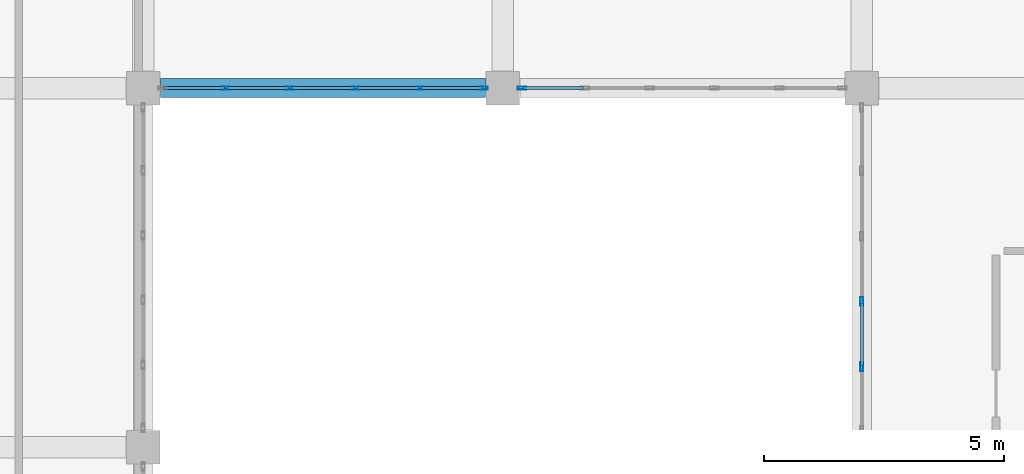
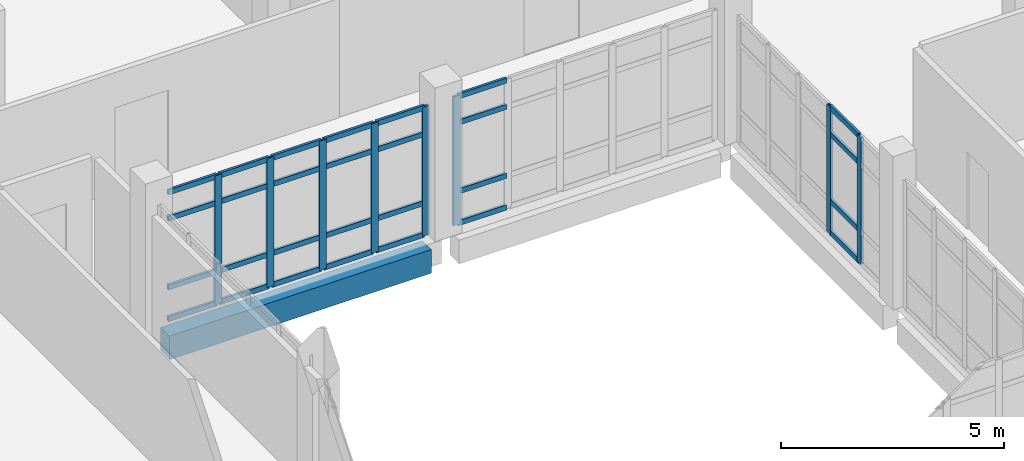
# One storey, part 27 of 164: 36 members, 1 beam, 3 elements without a shape of their own.
"""IFC4 building model written with IfcOpenShell, lengths in metres."""

from ifc_helpers import new_model, si_unit, direction, frame, origin, origin_2d, place, context, subcontext, project, spatial, rectangle, hollow_rectangle, extrude, material, layer, layer_set, material_profile, profile_set, type_object, element, aggregate, save


model = new_model("IFC4")

# Units and contexts
model_context = context("Model", 3, precision=1e-05, world=origin(), true_north=direction((0.0, 1.0)))
body_context = subcontext(model_context, "Body", "Model", "MODEL_VIEW")
ifc_project = project(units=[si_unit("LENGTHUNIT", "METRE"), si_unit("AREAUNIT", "SQUARE_METRE"), si_unit("VOLUMEUNIT", "CUBIC_METRE"), si_unit("PLANEANGLEUNIT", "RADIAN"), si_unit("MASSUNIT", "GRAM", prefix="KILO")], contexts=[model_context])

# Site, building, storey
site_placement = place(None, origin())
site = spatial("IfcSite", under=ifc_project, at=site_placement, CompositionType="ELEMENT")
building_placement = place(site_placement, origin())
building = spatial("IfcBuilding", under=site, at=building_placement, Name="Mawjan Specialist Oncology Clinic", CompositionType="ELEMENT")
storey_placement = place(building_placement, frame((0.0, 0.0, 5.0)))
storey = spatial("IfcBuildingStorey", under=building, at=storey_placement, Name="L01", CompositionType="ELEMENT", Elevation=5.0)

# Curtain wall, members
ifc_material_1 = material(Name="Unitised spectrally selective aluminium curtain wall", Category="aluminium")
ifc_layer_1 = layer(ifc_material_1, 0.179931640625, Name="Unitised spectrally selective aluminium curtain wall", Category="aluminium")
ifc_layer_set_1 = layer_set([ifc_layer_1], Name="Unitised spectrally selective aluminium curtain wall")
curtain_wall_type_1 = type_object("IfcCurtainWallType", Name="CW-80", PredefinedType="NOTDEFINED", material=ifc_layer_set_1)
curtain_wall_1_placement = place(storey_placement, origin())
curtain_wall_1 = element("IfcCurtainWall", 1, at=curtain_wall_1_placement, inside=storey, type_object=curtain_wall_type_1, Name="L01 Unitised Curtain Wall CW-L01-160", PredefinedType="NOTDEFINED")
ifc_material_2 = material(Name="Thermally broken aluminium 6063-T6", Category="aluminium")
ifc_material_profile_1 = material_profile(ifc_material_2, hollow_rectangle(XDim=0.06494140625, YDim=0.179931640625, WallThickness=0.00390625, at=origin_2d()), Name="ALU MULLION 180x65x4", Category="aluminium")
ifc_profile_set_1 = profile_set([ifc_material_profile_1], Name="Thermally broken aluminium 6063-T6")
member_type_1 = type_object("IfcMemberType", Name="CW-M180", PredefinedType="MULLION", material=ifc_profile_set_1)
member_1_placement = place(storey_placement, frame((30.0, 24.98193359375, 0.0), z_axis=(0.0, 0.0, 1.0), x_axis=(-1.0, 0.0, 0.0)))
member_1 = element("IfcMember", 2, at=member_1_placement, type_object=member_type_1, Name="CW-80 mullion 2", PredefinedType="MULLION", context=body_context, shape_type="SweptSolid", body=[
    extrude(hollow_rectangle(XDim=0.06494140625, YDim=0.179931640625, WallThickness=0.00390625, at=origin_2d()), origin(), (0.0, 0.0, 1.0), 3.485107421875),
])
member_2_placement = place(storey_placement, frame((30.0, 26.343994140625, 0.0), z_axis=(0.0, 0.0, 1.0), x_axis=(-1.0, 0.0, 0.0)))
member_2 = element("IfcMember", 3, at=member_2_placement, type_object=member_type_1, Name="CW-80 mullion 3", PredefinedType="MULLION", context=body_context, shape_type="SweptSolid", body=[
    extrude(hollow_rectangle(XDim=0.06494140625, YDim=0.179931640625, WallThickness=0.00390625, at=origin_2d()), origin(), (0.0, 0.0, 1.0), 3.485107421875),
])

# Curtain wall, member
ifc_material_3 = material(Name="Unitised spectrally selective aluminium curtain wall", Category="aluminium")
ifc_layer_2 = layer(ifc_material_3, 0.179931640625, Name="Unitised spectrally selective aluminium curtain wall", Category="aluminium")
ifc_layer_set_2 = layer_set([ifc_layer_2], Name="Unitised spectrally selective aluminium curtain wall")
curtain_wall_type_2 = type_object("IfcCurtainWallType", Name="CW-73", PredefinedType="NOTDEFINED", material=ifc_layer_set_2)
curtain_wall_2_placement = place(storey_placement, origin())
curtain_wall_2 = element("IfcCurtainWall", 4, at=curtain_wall_2_placement, inside=storey, type_object=curtain_wall_type_2, Name="L01 Unitised Curtain Wall CW-L01-161", PredefinedType="NOTDEFINED")
member_3_placement = place(storey_placement, frame((22.902587890625, 30.800048828125, 0.0), z_axis=(0.0, 0.0, 1.0), x_axis=(0.0, -1.0, 0.0)))
member_3 = element("IfcMember", 5, at=member_3_placement, type_object=member_type_1, Name="CW-73 mullion 6", PredefinedType="MULLION", context=body_context, shape_type="SweptSolid", body=[
    extrude(hollow_rectangle(XDim=0.06494140625, YDim=0.179931640625, WallThickness=0.00390625, at=origin_2d()), origin(), (0.0, 0.0, 1.0), 3.534912109375),
])

# Curtain wall, members
curtain_wall_3_placement = place(storey_placement, origin())
curtain_wall_3 = element("IfcCurtainWall", 6, at=curtain_wall_3_placement, inside=storey, type_object=curtain_wall_type_2, Name="L01 Unitised Curtain Wall CW-L01-162", PredefinedType="NOTDEFINED")
member_4_placement = place(storey_placement, frame((22.097412109375, 30.800048828125, 0.0), z_axis=(0.0, 0.0, 1.0), x_axis=(0.0, -1.0, 0.0)))
member_4 = element("IfcMember", 7, at=member_4_placement, type_object=member_type_1, Name="CW-73 mullion 1", PredefinedType="MULLION", context=body_context, shape_type="SweptSolid", body=[
    extrude(hollow_rectangle(XDim=0.06494140625, YDim=0.179931640625, WallThickness=0.00390625, at=origin_2d()), origin(), (0.0, 0.0, 1.0), 3.534912109375),
])
member_5_placement = place(storey_placement, frame((20.778076171875, 30.800048828125, 0.0), z_axis=(0.0, 0.0, 1.0), x_axis=(0.0, -1.0, 0.0)))
member_5 = element("IfcMember", 8, at=member_5_placement, type_object=member_type_1, Name="CW-73 mullion 2", PredefinedType="MULLION", context=body_context, shape_type="SweptSolid", body=[
    extrude(hollow_rectangle(XDim=0.06494140625, YDim=0.179931640625, WallThickness=0.00390625, at=origin_2d()), origin(), (0.0, 0.0, 1.0), 3.534912109375),
])
member_6_placement = place(storey_placement, frame((19.426025390625, 30.800048828125, 0.0), z_axis=(0.0, 0.0, 1.0), x_axis=(0.0, -1.0, 0.0)))
member_6 = element("IfcMember", 9, at=member_6_placement, type_object=member_type_1, Name="CW-73 mullion 3", PredefinedType="MULLION", context=body_context, shape_type="SweptSolid", body=[
    extrude(hollow_rectangle(XDim=0.06494140625, YDim=0.179931640625, WallThickness=0.00390625, at=origin_2d()), origin(), (0.0, 0.0, 1.0), 3.534912109375),
])
member_7_placement = place(storey_placement, frame((18.073974609375, 30.800048828125, 0.0), z_axis=(0.0, 0.0, 1.0), x_axis=(0.0, -1.0, 0.0)))
member_7 = element("IfcMember", 10, at=member_7_placement, type_object=member_type_1, Name="CW-73 mullion 4", PredefinedType="MULLION", context=body_context, shape_type="SweptSolid", body=[
    extrude(hollow_rectangle(XDim=0.06494140625, YDim=0.179931640625, WallThickness=0.00390625, at=origin_2d()), origin(), (0.0, 0.0, 1.0), 3.534912109375),
])
member_8_placement = place(storey_placement, frame((16.721923828125, 30.800048828125, 0.0), z_axis=(0.0, 0.0, 1.0), x_axis=(0.0, -1.0, 0.0)))
member_8 = element("IfcMember", 11, at=member_8_placement, type_object=member_type_1, Name="CW-73 mullion 5", PredefinedType="MULLION", context=body_context, shape_type="SweptSolid", body=[
    extrude(hollow_rectangle(XDim=0.06494140625, YDim=0.179931640625, WallThickness=0.00390625, at=origin_2d()), origin(), (0.0, 0.0, 1.0), 3.534912109375),
])

# Member
ifc_material_4 = material(Name="Thermally broken aluminium 6063-T6", Category="aluminium")
ifc_material_profile_2 = material_profile(ifc_material_4, hollow_rectangle(XDim=0.06494140625, YDim=0.139892578125, WallThickness=0.00390625, at=origin_2d()), Name="ALU TRANSOM 140x65x4", Category="aluminium")
ifc_profile_set_2 = profile_set([ifc_material_profile_2], Name="Thermally broken aluminium 6063-T6")
member_type_2 = type_object("IfcMemberType", Name="CW-T140", PredefinedType="USERDEFINED", material=ifc_profile_set_2)
member_9_placement = place(storey_placement, frame((30.0, 25.014404296875, 0.032470703125), z_axis=(0.0, 1.0, 0.0), x_axis=(-1.0, 0.0, 0.0)))
member_9 = element("IfcMember", 12, at=member_9_placement, type_object=member_type_2, Name="CW-80 transom 2.1", ObjectType="TRANSOM", PredefinedType="USERDEFINED", context=body_context, shape_type="SweptSolid", body=[
    extrude(hollow_rectangle(XDim=0.06494140625, YDim=0.139892578125, WallThickness=0.00390625, at=origin_2d()), origin(), (0.0, 0.0, 1.0), 1.297119140625),
])

member_10_placement = place(storey_placement, frame((30.0, 25.014404296875, 0.89990234375), z_axis=(0.0, 1.0, 0.0), x_axis=(-1.0, 0.0, 0.0)))
member_10 = element("IfcMember", 13, at=member_10_placement, type_object=member_type_2, Name="CW-80 transom 2.2", ObjectType="TRANSOM", PredefinedType="USERDEFINED", context=body_context, shape_type="SweptSolid", body=[
    extrude(hollow_rectangle(XDim=0.06494140625, YDim=0.139892578125, WallThickness=0.00390625, at=origin_2d()), origin(), (0.0, 0.0, 1.0), 1.297119140625),
])

member_11_placement = place(storey_placement, frame((30.0, 25.014404296875, 2.735107421875), z_axis=(0.0, 1.0, 0.0), x_axis=(-1.0, 0.0, 0.0)))
member_11 = element("IfcMember", 14, at=member_11_placement, type_object=member_type_2, Name="CW-80 transom 2.3", ObjectType="TRANSOM", PredefinedType="USERDEFINED", context=body_context, shape_type="SweptSolid", body=[
    extrude(hollow_rectangle(XDim=0.06494140625, YDim=0.139892578125, WallThickness=0.00390625, at=origin_2d()), origin(), (0.0, 0.0, 1.0), 1.297119140625),
])

member_12_placement = place(storey_placement, frame((30.0, 25.014404296875, 3.452392578125), z_axis=(0.0, 1.0, 0.0), x_axis=(-1.0, 0.0, 0.0)))
member_12 = element("IfcMember", 15, at=member_12_placement, type_object=member_type_2, Name="CW-80 transom 2.4", ObjectType="TRANSOM", PredefinedType="USERDEFINED", context=body_context, shape_type="SweptSolid", body=[
    extrude(hollow_rectangle(XDim=0.06494140625, YDim=0.139892578125, WallThickness=0.00390625, at=origin_2d()), origin(), (0.0, 0.0, 1.0), 1.297119140625),
])

aggregate(curtain_wall_1, [member_1, member_2, member_9, member_10, member_11, member_12])

member_13_placement = place(storey_placement, frame((24.189453125, 30.800048828125, 0.032470703125), z_axis=(-1.0, 0.0, 0.0), x_axis=(0.0, -1.0, 0.0)))
member_13 = element("IfcMember", 16, at=member_13_placement, type_object=member_type_2, Name="CW-73 transom 5.1", ObjectType="TRANSOM", PredefinedType="USERDEFINED", context=body_context, shape_type="SweptSolid", body=[
    extrude(hollow_rectangle(XDim=0.06494140625, YDim=0.139892578125, WallThickness=0.00390625, at=origin_2d()), origin(), (0.0, 0.0, 1.0), 1.25439453125),
])

member_14_placement = place(storey_placement, frame((24.189453125, 30.800048828125, 0.89990234375), z_axis=(-1.0, 0.0, 0.0), x_axis=(0.0, -1.0, 0.0)))
member_14 = element("IfcMember", 17, at=member_14_placement, type_object=member_type_2, Name="CW-73 transom 5.2", ObjectType="TRANSOM", PredefinedType="USERDEFINED", context=body_context, shape_type="SweptSolid", body=[
    extrude(hollow_rectangle(XDim=0.06494140625, YDim=0.139892578125, WallThickness=0.00390625, at=origin_2d()), origin(), (0.0, 0.0, 1.0), 1.25439453125),
])

member_15_placement = place(storey_placement, frame((24.189453125, 30.800048828125, 2.784912109375), z_axis=(-1.0, 0.0, 0.0), x_axis=(0.0, -1.0, 0.0)))
member_15 = element("IfcMember", 18, at=member_15_placement, type_object=member_type_2, Name="CW-73 transom 5.3", ObjectType="TRANSOM", PredefinedType="USERDEFINED", context=body_context, shape_type="SweptSolid", body=[
    extrude(hollow_rectangle(XDim=0.06494140625, YDim=0.139892578125, WallThickness=0.00390625, at=origin_2d()), origin(), (0.0, 0.0, 1.0), 1.25439453125),
])

member_16_placement = place(storey_placement, frame((24.189453125, 30.800048828125, 3.50244140625), z_axis=(-1.0, 0.0, 0.0), x_axis=(0.0, -1.0, 0.0)))
member_16 = element("IfcMember", 19, at=member_16_placement, type_object=member_type_2, Name="CW-73 transom 5.4", ObjectType="TRANSOM", PredefinedType="USERDEFINED", context=body_context, shape_type="SweptSolid", body=[
    extrude(hollow_rectangle(XDim=0.06494140625, YDim=0.139892578125, WallThickness=0.00390625, at=origin_2d()), origin(), (0.0, 0.0, 1.0), 1.25439453125),
])

aggregate(curtain_wall_2, [member_3, member_13, member_14, member_15, member_16])

member_17_placement = place(storey_placement, frame((22.06494140625, 30.800048828125, 0.032470703125), z_axis=(-1.0, 0.0, 0.0), x_axis=(0.0, -1.0, 0.0)))
member_17 = element("IfcMember", 20, at=member_17_placement, type_object=member_type_2, Name="CW-73 transom 1.1", ObjectType="TRANSOM", PredefinedType="USERDEFINED", context=body_context, shape_type="SweptSolid", body=[
    extrude(hollow_rectangle(XDim=0.06494140625, YDim=0.139892578125, WallThickness=0.00390625, at=origin_2d()), origin(), (0.0, 0.0, 1.0), 1.25439453125),
])

member_18_placement = place(storey_placement, frame((22.06494140625, 30.800048828125, 0.89990234375), z_axis=(-1.0, 0.0, 0.0), x_axis=(0.0, -1.0, 0.0)))
member_18 = element("IfcMember", 21, at=member_18_placement, type_object=member_type_2, Name="CW-73 transom 1.2", ObjectType="TRANSOM", PredefinedType="USERDEFINED", context=body_context, shape_type="SweptSolid", body=[
    extrude(hollow_rectangle(XDim=0.06494140625, YDim=0.139892578125, WallThickness=0.00390625, at=origin_2d()), origin(), (0.0, 0.0, 1.0), 1.25439453125),
])

member_19_placement = place(storey_placement, frame((22.06494140625, 30.800048828125, 2.784912109375), z_axis=(-1.0, 0.0, 0.0), x_axis=(0.0, -1.0, 0.0)))
member_19 = element("IfcMember", 22, at=member_19_placement, type_object=member_type_2, Name="CW-73 transom 1.3", ObjectType="TRANSOM", PredefinedType="USERDEFINED", context=body_context, shape_type="SweptSolid", body=[
    extrude(hollow_rectangle(XDim=0.06494140625, YDim=0.139892578125, WallThickness=0.00390625, at=origin_2d()), origin(), (0.0, 0.0, 1.0), 1.25439453125),
])

member_20_placement = place(storey_placement, frame((22.06494140625, 30.800048828125, 3.50244140625), z_axis=(-1.0, 0.0, 0.0), x_axis=(0.0, -1.0, 0.0)))
member_20 = element("IfcMember", 23, at=member_20_placement, type_object=member_type_2, Name="CW-73 transom 1.4", ObjectType="TRANSOM", PredefinedType="USERDEFINED", context=body_context, shape_type="SweptSolid", body=[
    extrude(hollow_rectangle(XDim=0.06494140625, YDim=0.139892578125, WallThickness=0.00390625, at=origin_2d()), origin(), (0.0, 0.0, 1.0), 1.25439453125),
])

member_21_placement = place(storey_placement, frame((20.74560546875, 30.800048828125, 0.032470703125), z_axis=(-1.0, 0.0, 0.0), x_axis=(0.0, -1.0, 0.0)))
member_21 = element("IfcMember", 24, at=member_21_placement, type_object=member_type_2, Name="CW-73 transom 2.1", ObjectType="TRANSOM", PredefinedType="USERDEFINED", context=body_context, shape_type="SweptSolid", body=[
    extrude(hollow_rectangle(XDim=0.06494140625, YDim=0.139892578125, WallThickness=0.00390625, at=origin_2d()), origin(), (0.0, 0.0, 1.0), 1.287109375),
])

member_22_placement = place(storey_placement, frame((20.74560546875, 30.800048828125, 0.89990234375), z_axis=(-1.0, 0.0, 0.0), x_axis=(0.0, -1.0, 0.0)))
member_22 = element("IfcMember", 25, at=member_22_placement, type_object=member_type_2, Name="CW-73 transom 2.2", ObjectType="TRANSOM", PredefinedType="USERDEFINED", context=body_context, shape_type="SweptSolid", body=[
    extrude(hollow_rectangle(XDim=0.06494140625, YDim=0.139892578125, WallThickness=0.00390625, at=origin_2d()), origin(), (0.0, 0.0, 1.0), 1.287109375),
])

member_23_placement = place(storey_placement, frame((20.74560546875, 30.800048828125, 2.784912109375), z_axis=(-1.0, 0.0, 0.0), x_axis=(0.0, -1.0, 0.0)))
member_23 = element("IfcMember", 26, at=member_23_placement, type_object=member_type_2, Name="CW-73 transom 2.3", ObjectType="TRANSOM", PredefinedType="USERDEFINED", context=body_context, shape_type="SweptSolid", body=[
    extrude(hollow_rectangle(XDim=0.06494140625, YDim=0.139892578125, WallThickness=0.00390625, at=origin_2d()), origin(), (0.0, 0.0, 1.0), 1.287109375),
])

member_24_placement = place(storey_placement, frame((20.74560546875, 30.800048828125, 3.50244140625), z_axis=(-1.0, 0.0, 0.0), x_axis=(0.0, -1.0, 0.0)))
member_24 = element("IfcMember", 27, at=member_24_placement, type_object=member_type_2, Name="CW-73 transom 2.4", ObjectType="TRANSOM", PredefinedType="USERDEFINED", context=body_context, shape_type="SweptSolid", body=[
    extrude(hollow_rectangle(XDim=0.06494140625, YDim=0.139892578125, WallThickness=0.00390625, at=origin_2d()), origin(), (0.0, 0.0, 1.0), 1.287109375),
])

member_25_placement = place(storey_placement, frame((19.3935546875, 30.800048828125, 0.032470703125), z_axis=(-1.0, 0.0, 0.0), x_axis=(0.0, -1.0, 0.0)))
member_25 = element("IfcMember", 28, at=member_25_placement, type_object=member_type_2, Name="CW-73 transom 3.1", ObjectType="TRANSOM", PredefinedType="USERDEFINED", context=body_context, shape_type="SweptSolid", body=[
    extrude(hollow_rectangle(XDim=0.06494140625, YDim=0.139892578125, WallThickness=0.00390625, at=origin_2d()), origin(), (0.0, 0.0, 1.0), 1.287109375),
])

member_26_placement = place(storey_placement, frame((19.3935546875, 30.800048828125, 0.89990234375), z_axis=(-1.0, 0.0, 0.0), x_axis=(0.0, -1.0, 0.0)))
member_26 = element("IfcMember", 29, at=member_26_placement, type_object=member_type_2, Name="CW-73 transom 3.2", ObjectType="TRANSOM", PredefinedType="USERDEFINED", context=body_context, shape_type="SweptSolid", body=[
    extrude(hollow_rectangle(XDim=0.06494140625, YDim=0.139892578125, WallThickness=0.00390625, at=origin_2d()), origin(), (0.0, 0.0, 1.0), 1.287109375),
])

member_27_placement = place(storey_placement, frame((19.3935546875, 30.800048828125, 2.784912109375), z_axis=(-1.0, 0.0, 0.0), x_axis=(0.0, -1.0, 0.0)))
member_27 = element("IfcMember", 30, at=member_27_placement, type_object=member_type_2, Name="CW-73 transom 3.3", ObjectType="TRANSOM", PredefinedType="USERDEFINED", context=body_context, shape_type="SweptSolid", body=[
    extrude(hollow_rectangle(XDim=0.06494140625, YDim=0.139892578125, WallThickness=0.00390625, at=origin_2d()), origin(), (0.0, 0.0, 1.0), 1.287109375),
])

member_28_placement = place(storey_placement, frame((19.3935546875, 30.800048828125, 3.50244140625), z_axis=(-1.0, 0.0, 0.0), x_axis=(0.0, -1.0, 0.0)))
member_28 = element("IfcMember", 31, at=member_28_placement, type_object=member_type_2, Name="CW-73 transom 3.4", ObjectType="TRANSOM", PredefinedType="USERDEFINED", context=body_context, shape_type="SweptSolid", body=[
    extrude(hollow_rectangle(XDim=0.06494140625, YDim=0.139892578125, WallThickness=0.00390625, at=origin_2d()), origin(), (0.0, 0.0, 1.0), 1.287109375),
])

member_29_placement = place(storey_placement, frame((18.04150390625, 30.800048828125, 0.032470703125), z_axis=(-1.0, 0.0, 0.0), x_axis=(0.0, -1.0, 0.0)))
member_29 = element("IfcMember", 32, at=member_29_placement, type_object=member_type_2, Name="CW-73 transom 4.1", ObjectType="TRANSOM", PredefinedType="USERDEFINED", context=body_context, shape_type="SweptSolid", body=[
    extrude(hollow_rectangle(XDim=0.06494140625, YDim=0.139892578125, WallThickness=0.00390625, at=origin_2d()), origin(), (0.0, 0.0, 1.0), 1.287109375),
])

member_30_placement = place(storey_placement, frame((18.04150390625, 30.800048828125, 0.89990234375), z_axis=(-1.0, 0.0, 0.0), x_axis=(0.0, -1.0, 0.0)))
member_30 = element("IfcMember", 33, at=member_30_placement, type_object=member_type_2, Name="CW-73 transom 4.2", ObjectType="TRANSOM", PredefinedType="USERDEFINED", context=body_context, shape_type="SweptSolid", body=[
    extrude(hollow_rectangle(XDim=0.06494140625, YDim=0.139892578125, WallThickness=0.00390625, at=origin_2d()), origin(), (0.0, 0.0, 1.0), 1.287109375),
])

member_31_placement = place(storey_placement, frame((18.04150390625, 30.800048828125, 2.784912109375), z_axis=(-1.0, 0.0, 0.0), x_axis=(0.0, -1.0, 0.0)))
member_31 = element("IfcMember", 34, at=member_31_placement, type_object=member_type_2, Name="CW-73 transom 4.3", ObjectType="TRANSOM", PredefinedType="USERDEFINED", context=body_context, shape_type="SweptSolid", body=[
    extrude(hollow_rectangle(XDim=0.06494140625, YDim=0.139892578125, WallThickness=0.00390625, at=origin_2d()), origin(), (0.0, 0.0, 1.0), 1.287109375),
])

member_32_placement = place(storey_placement, frame((18.04150390625, 30.800048828125, 3.50244140625), z_axis=(-1.0, 0.0, 0.0), x_axis=(0.0, -1.0, 0.0)))
member_32 = element("IfcMember", 35, at=member_32_placement, type_object=member_type_2, Name="CW-73 transom 4.4", ObjectType="TRANSOM", PredefinedType="USERDEFINED", context=body_context, shape_type="SweptSolid", body=[
    extrude(hollow_rectangle(XDim=0.06494140625, YDim=0.139892578125, WallThickness=0.00390625, at=origin_2d()), origin(), (0.0, 0.0, 1.0), 1.287109375),
])

member_33_placement = place(storey_placement, frame((16.689453125, 30.800048828125, 0.032470703125), z_axis=(-1.0, 0.0, 0.0), x_axis=(0.0, -1.0, 0.0)))
member_33 = element("IfcMember", 36, at=member_33_placement, type_object=member_type_2, Name="CW-73 transom 5.1", ObjectType="TRANSOM", PredefinedType="USERDEFINED", context=body_context, shape_type="SweptSolid", body=[
    extrude(hollow_rectangle(XDim=0.06494140625, YDim=0.139892578125, WallThickness=0.00390625, at=origin_2d()), origin(), (0.0, 0.0, 1.0), 1.25439453125),
])

member_34_placement = place(storey_placement, frame((16.689453125, 30.800048828125, 0.89990234375), z_axis=(-1.0, 0.0, 0.0), x_axis=(0.0, -1.0, 0.0)))
member_34 = element("IfcMember", 37, at=member_34_placement, type_object=member_type_2, Name="CW-73 transom 5.2", ObjectType="TRANSOM", PredefinedType="USERDEFINED", context=body_context, shape_type="SweptSolid", body=[
    extrude(hollow_rectangle(XDim=0.06494140625, YDim=0.139892578125, WallThickness=0.00390625, at=origin_2d()), origin(), (0.0, 0.0, 1.0), 1.25439453125),
])

member_35_placement = place(storey_placement, frame((16.689453125, 30.800048828125, 2.784912109375), z_axis=(-1.0, 0.0, 0.0), x_axis=(0.0, -1.0, 0.0)))
member_35 = element("IfcMember", 38, at=member_35_placement, type_object=member_type_2, Name="CW-73 transom 5.3", ObjectType="TRANSOM", PredefinedType="USERDEFINED", context=body_context, shape_type="SweptSolid", body=[
    extrude(hollow_rectangle(XDim=0.06494140625, YDim=0.139892578125, WallThickness=0.00390625, at=origin_2d()), origin(), (0.0, 0.0, 1.0), 1.25439453125),
])

member_36_placement = place(storey_placement, frame((16.689453125, 30.800048828125, 3.50244140625), z_axis=(-1.0, 0.0, 0.0), x_axis=(0.0, -1.0, 0.0)))
member_36 = element("IfcMember", 39, at=member_36_placement, type_object=member_type_2, Name="CW-73 transom 5.4", ObjectType="TRANSOM", PredefinedType="USERDEFINED", context=body_context, shape_type="SweptSolid", body=[
    extrude(hollow_rectangle(XDim=0.06494140625, YDim=0.139892578125, WallThickness=0.00390625, at=origin_2d()), origin(), (0.0, 0.0, 1.0), 1.25439453125),
])

aggregate(curtain_wall_3, [member_4, member_5, member_6, member_7, member_8, member_17, member_18, member_19, member_20, member_21, member_22, member_23, member_24, member_25, member_26, member_27, member_28, member_29, member_30, member_31, member_32, member_33, member_34, member_35, member_36])

# Beam
ifc_material_5 = material(Name="Concrete C45/55", Category="concrete")
ifc_material_profile_3 = material_profile(ifc_material_5, rectangle(XDim=0.39990234375, YDim=0.64990234375, at=origin_2d()), Name="RC BM 400x650", Category="concrete")
ifc_profile_set_3 = profile_set([ifc_material_profile_3], Name="Concrete C45/55")
beam_type = type_object("IfcBeamType", Name="SP-400x650", PredefinedType="SPANDREL", material=ifc_profile_set_3)
beam_placement = place(storey_placement, frame((15.360107421875, 30.800048828125, -0.625), z_axis=(1.0, 0.0, 0.0), x_axis=(0.0, 1.0, 0.0)))
element("IfcBeam", 40, at=beam_placement, inside=storey, type_object=beam_type, Name="L01 Spandrel Beam BM-L01-0246", PredefinedType="SPANDREL", context=body_context, shape_type="SweptSolid", body=[
    extrude(rectangle(XDim=0.39990234375, YDim=0.64990234375, at=origin_2d()), origin(), (0.0, 0.0, 1.0), 6.77978515625),
])

save(model, "model.ifc")
